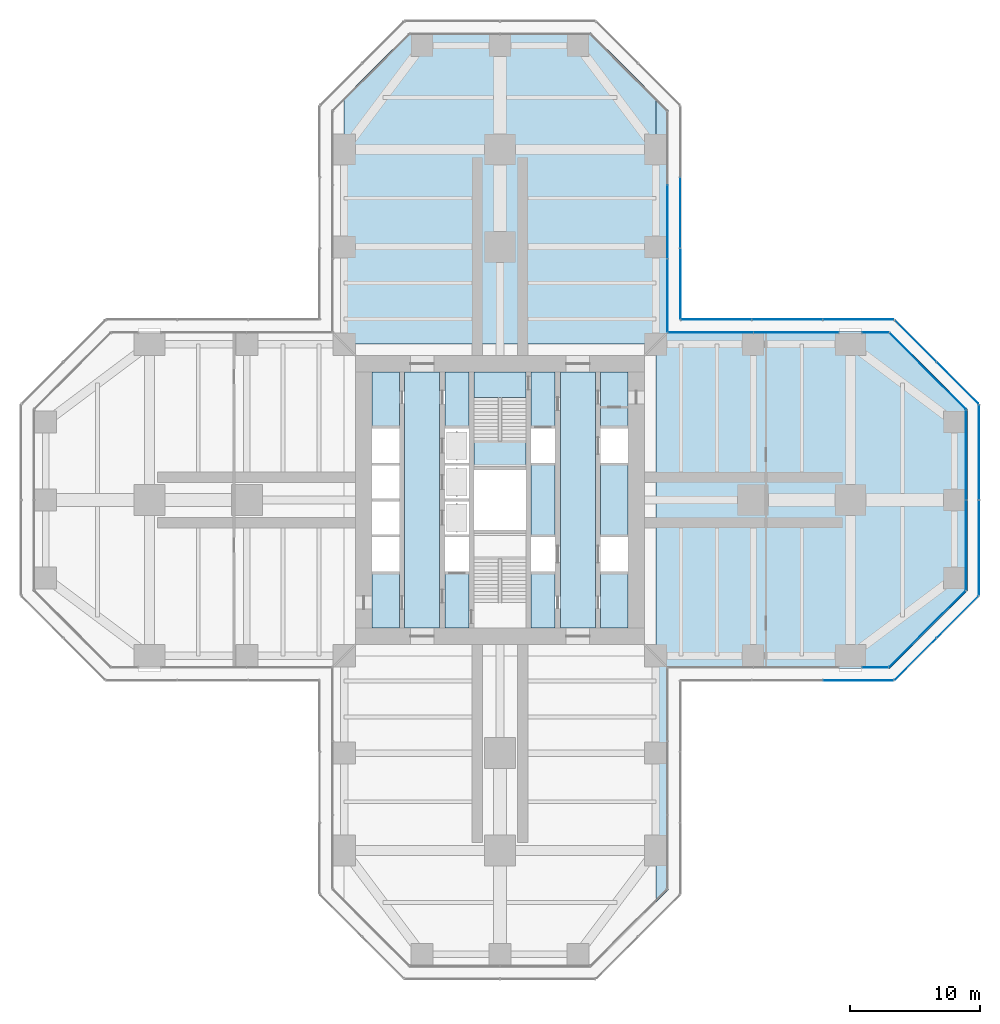
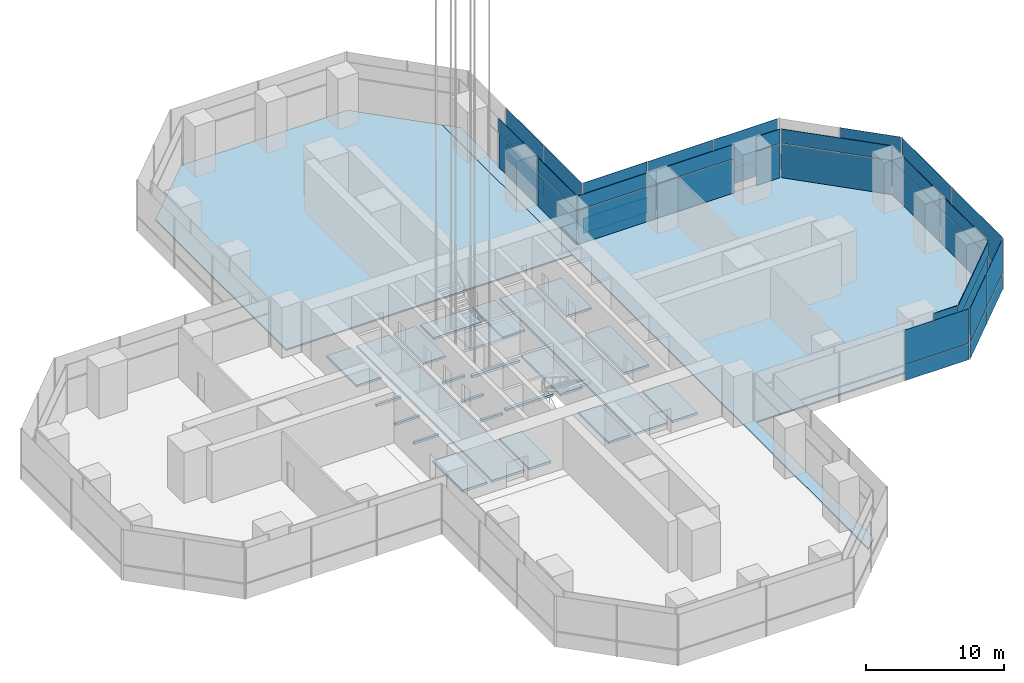
# One storey, part 15 of 27: 43 plates, 5 slabs, 14 elements without a shape of their own.
"""IFC4 building model written with IfcOpenShell, lengths in metres."""

from ifc_helpers import new_model, si_unit, direction, frame, origin, origin_2d, place, context, subcontext, project, spatial, polyline, rectangle, outline, extrude, material, layer, layer_set, type_object, element, aggregate, save


model = new_model("IFC4")

# Units and contexts
model_context = context("Model", 3, precision=1e-05, world=origin(), true_north=direction((0.0, 1.0)))
body_context = subcontext(model_context, "Body", "Model", "MODEL_VIEW")
ifc_project = project(units=[si_unit("LENGTHUNIT", "METRE"), si_unit("AREAUNIT", "SQUARE_METRE"), si_unit("VOLUMEUNIT", "CUBIC_METRE"), si_unit("PLANEANGLEUNIT", "RADIAN"), si_unit("MASSUNIT", "GRAM", prefix="KILO")], contexts=[model_context])

# Site, building, storey
site_placement = place(None, origin())
site = spatial("IfcSite", under=ifc_project, at=site_placement, CompositionType="ELEMENT")
building_placement = place(site_placement, origin())
building = spatial("IfcBuilding", under=site, at=building_placement, Name="Mizan Broadcast Tower", CompositionType="ELEMENT")
storey_placement = place(building_placement, frame((0.0, 0.0, 113.699951171875)))
storey = spatial("IfcBuildingStorey", under=building, at=storey_placement, Name="L25", CompositionType="ELEMENT", Elevation=113.699951171875)

# Slabs
ifc_material_1 = material(Name="Concrete C32/40", Category="concrete")
ifc_layer_1 = layer(ifc_material_1, 0.1298828125)
ifc_layer_set_1 = layer_set([ifc_layer_1], Name="Concrete C32/40")
slab_type_1 = type_object("IfcSlabType", Name="COMPOSITE DECK SLAB 130", PredefinedType="FLOOR", material=ifc_layer_set_1)
slab_1_placement = place(storey_placement, frame((0.0, 0.0, -0.1298828125)))
element("IfcSlab", 1, at=slab_1_placement, inside=storey, type_object=slab_type_1, Name="Floor slab L25 east arm", PredefinedType="FLOOR", context=body_context, shape_type="SweptSolid", body=[
    extrude(outline(polyline([(12.0, -31.0), (13.0, -30.0), (13.0, -13.0), (30.0, -13.0), (36.0, -7.0), (36.0, 7.0), (30.0, 13.0), (13.0, 13.0), (13.0, 30.0), (12.0, 31.0), (12.0, -31.0)])), origin(), (0.0, 0.0, 1.0), 0.1298828125),
])
slab_2_placement = place(storey_placement, frame((0.0, 0.0, -0.1298828125)))
element("IfcSlab", 2, at=slab_2_placement, inside=storey, type_object=slab_type_1, Name="Floor slab L25 north arm", PredefinedType="FLOOR", context=body_context, shape_type="SweptSolid", body=[
    extrude(outline(polyline([(-7.0, 36.0), (-12.0, 31.0), (-12.0, 12.0), (12.0, 12.0), (12.0, 31.0), (7.0, 36.0), (-7.0, 36.0)])), origin(), (0.0, 0.0, 1.0), 0.1298828125),
])
ifc_material_2 = material(Name="Concrete C40/50", Category="concrete")
ifc_layer_2 = layer(ifc_material_2, 0.199951171875)
ifc_layer_set_2 = layer_set([ifc_layer_2], Name="Concrete C40/50")
slab_type_2 = type_object("IfcSlabType", Name="CORE FLOOR 200", PredefinedType="FLOOR", material=ifc_layer_set_2)
slab_3_placement = place(storey_placement, frame((0.0, 0.0, -0.199951171875)))
element("IfcSlab", 3, at=slab_3_placement, inside=storey, type_object=slab_type_2, Name="Core floor L25", PredefinedType="FLOOR", context=body_context, shape_type="SweptSolid", body=[
    extrude(outline(polyline([(-9.85009765625, -9.85009765625), (-7.75, -9.85009765625), (-7.75, -5.5), (-9.85009765625, -5.5), (-9.85009765625, -9.85009765625)])), origin(), (0.0, 0.0, 1.0), 0.199951171875),
    extrude(outline(polyline([(-9.85009765625, -2.85009765625), (-7.75, -2.85009765625), (-7.75, -2.64990234375), (-9.85009765625, -2.64990234375), (-9.85009765625, -2.85009765625)])), origin(), (0.0, 0.0, 1.0), 0.199951171875),
    extrude(outline(polyline([(-9.85009765625, -0.10009765625), (-7.75, -0.10009765625), (-7.75, 0.10009765625), (-9.85009765625, 0.10009765625), (-9.85009765625, -0.10009765625)])), origin(), (0.0, 0.0, 1.0), 0.199951171875),
    extrude(outline(polyline([(-9.85009765625, 2.64990234375), (-7.75, 2.64990234375), (-7.75, 2.85009765625), (-9.85009765625, 2.85009765625), (-9.85009765625, 2.64990234375)])), origin(), (0.0, 0.0, 1.0), 0.199951171875),
    extrude(outline(polyline([(-9.85009765625, 5.5), (-7.75, 5.5), (-7.75, 9.85009765625), (-9.85009765625, 9.85009765625), (-9.85009765625, 5.5)])), origin(), (0.0, 0.0, 1.0), 0.199951171875),
    extrude(outline(polyline([(-4.64990234375, 9.85009765625), (-7.35009765625, 9.85009765625), (-7.35009765625, -9.85009765625), (-4.64990234375, -9.85009765625), (-4.64990234375, 9.85009765625)])), origin(), (0.0, 0.0, 1.0), 0.199951171875),
    extrude(outline(polyline([(-4.25, -9.85009765625), (-2.39990234375, -9.85009765625), (-2.39990234375, -5.5), (-4.25, -5.5), (-4.25, -9.85009765625)])), origin(), (0.0, 0.0, 1.0), 0.199951171875),
    extrude(outline(polyline([(-4.25, -2.85009765625), (-2.39990234375, -2.85009765625), (-2.39990234375, -2.64990234375), (-4.25, -2.64990234375), (-4.25, -2.85009765625)])), origin(), (0.0, 0.0, 1.0), 0.199951171875),
    extrude(outline(polyline([(-4.25, -0.10009765625), (-2.39990234375, -0.10009765625), (-2.39990234375, 0.10009765625), (-4.25, 0.10009765625), (-4.25, -0.10009765625)])), origin(), (0.0, 0.0, 1.0), 0.199951171875),
    extrude(outline(polyline([(-4.25, 2.64990234375), (-2.39990234375, 2.64990234375), (-2.39990234375, 2.85009765625), (-4.25, 2.85009765625), (-4.25, 2.64990234375)])), origin(), (0.0, 0.0, 1.0), 0.199951171875),
    extrude(outline(polyline([(-4.25, 5.5), (-2.39990234375, 5.5), (-2.39990234375, 9.85009765625), (-4.25, 9.85009765625), (-4.25, 5.5)])), origin(), (0.0, 0.0, 1.0), 0.199951171875),
    extrude(outline(polyline([(2.0, -2.324951171875), (-2.0, -2.324951171875), (-2.0, -2.574951171875), (2.0, -2.574951171875), (2.0, -2.324951171875)])), origin(), (0.0, 0.0, 1.0), 0.199951171875),
    extrude(outline(polyline([(2.0, 2.574951171875), (-2.0, 2.574951171875), (-2.0, 2.324951171875), (2.0, 2.324951171875), (2.0, 2.574951171875)])), origin(), (0.0, 0.0, 1.0), 0.199951171875),
    extrude(outline(polyline([(4.25, -9.85009765625), (4.25, -5.5), (2.39990234375, -5.5), (2.39990234375, -9.85009765625), (4.25, -9.85009765625)])), origin(), (0.0, 0.0, 1.0), 0.199951171875),
    extrude(outline(polyline([(4.25, -2.85009765625), (4.25, 2.85009765625), (2.39990234375, 2.85009765625), (2.39990234375, -2.85009765625), (4.25, -2.85009765625)])), origin(), (0.0, 0.0, 1.0), 0.199951171875),
    extrude(outline(polyline([(4.25, 5.5), (4.25, 9.85009765625), (2.39990234375, 9.85009765625), (2.39990234375, 5.5), (4.25, 5.5)])), origin(), (0.0, 0.0, 1.0), 0.199951171875),
    extrude(outline(polyline([(4.64990234375, 9.85009765625), (4.64990234375, -9.85009765625), (7.35009765625, -9.85009765625), (7.35009765625, 9.85009765625), (4.64990234375, 9.85009765625)])), origin(), (0.0, 0.0, 1.0), 0.199951171875),
    extrude(outline(polyline([(9.85009765625, -9.85009765625), (9.85009765625, -5.5), (7.75, -5.5), (7.75, -9.85009765625), (9.85009765625, -9.85009765625)])), origin(), (0.0, 0.0, 1.0), 0.199951171875),
    extrude(outline(polyline([(9.85009765625, -2.85009765625), (9.85009765625, 2.85009765625), (7.75, 2.85009765625), (7.75, -2.85009765625), (9.85009765625, -2.85009765625)])), origin(), (0.0, 0.0, 1.0), 0.199951171875),
    extrude(outline(polyline([(9.85009765625, 5.5), (9.85009765625, 9.85009765625), (7.75, 9.85009765625), (7.75, 5.5), (9.85009765625, 5.5)])), origin(), (0.0, 0.0, 1.0), 0.199951171875),
])

# Curtain wall, plate
ifc_material_3 = material(Name="Aluminium framed glazing", Category="aluminium")
curtain_wall_type_1 = type_object("IfcCurtainWallType", Name="INNER SKIN MID ZONE", PredefinedType="USERDEFINED", material=ifc_material_3)
curtain_wall_1_placement = place(storey_placement, origin())
curtain_wall_1 = element("IfcCurtainWall", 4, at=curtain_wall_1_placement, inside=storey, type_object=curtain_wall_type_1, Name="Inner skin mid zone L25 E side", ObjectType="INNER SKIN MID ZONE", PredefinedType="USERDEFINED")
ifc_material_4 = material(Name="Double glazing, clear low-e", Category="glass")
ifc_layer_3 = layer(ifc_material_4, 0.028076171875)
ifc_layer_set_3 = layer_set([ifc_layer_3], Name="Double glazing, clear low-e")
plate_type_1 = type_object("IfcPlateType", Name="INNER SKIN GLAZING UNIT", PredefinedType="CURTAIN_PANEL", material=ifc_layer_set_3)
plate_1_placement = place(storey_placement, frame((28.904296875, -12.89990234375, 0.0), z_axis=(0.0, 0.0, 1.0), x_axis=(1.0, 0.0, 0.0)))
plate_1 = element("IfcPlate", 5, at=plate_1_placement, type_object=plate_type_1, Name="Inner skin mid zone L25 E side panel 1.1", PredefinedType="CURTAIN_PANEL", context=body_context, shape_type="SweptSolid", body=[
    extrude(rectangle(XDim=1.988525390625, YDim=0.028076171875, at=origin_2d()), origin(), (0.0, 0.0, 1.0), 3.0),
])

curtain_wall_2_placement = place(storey_placement, origin())
curtain_wall_2 = element("IfcCurtainWall", 6, at=curtain_wall_2_placement, inside=storey, type_object=curtain_wall_type_1, Name="Inner skin mid zone L25 E chamfer", ObjectType="INNER SKIN MID ZONE", PredefinedType="USERDEFINED")
plate_2_placement = place(storey_placement, frame((32.92919921875, -9.92919921875, 0.0), z_axis=(0.0, 0.0, 1.0), x_axis=(0.707106781187, 0.707106781187, 0.0)))
plate_2 = element("IfcPlate", 7, at=plate_2_placement, type_object=plate_type_1, Name="Inner skin mid zone L25 E chamfer panel 1.1", PredefinedType="CURTAIN_PANEL", context=body_context, shape_type="SweptSolid", body=[
    extrude(rectangle(XDim=8.282470703125, YDim=0.028076171875, at=origin_2d()), origin(), (0.0, 0.0, 1.0), 3.0),
])

# Curtain wall, plates
curtain_wall_3_placement = place(storey_placement, origin())
curtain_wall_3 = element("IfcCurtainWall", 8, at=curtain_wall_3_placement, inside=storey, type_object=curtain_wall_type_1, Name="Inner skin mid zone L25 E end", ObjectType="INNER SKIN MID ZONE", PredefinedType="USERDEFINED")
plate_3_placement = place(storey_placement, frame((35.89990234375, -3.46435546875, 0.0), z_axis=(0.0, 0.0, 1.0), x_axis=(0.0, 1.0, 0.0)))
plate_3 = element("IfcPlate", 9, at=plate_3_placement, type_object=plate_type_1, Name="Inner skin mid zone L25 E end panel 1.1", PredefinedType="CURTAIN_PANEL", context=body_context, shape_type="SweptSolid", body=[
    extrude(rectangle(XDim=6.86865234375, YDim=0.028076171875, at=origin_2d()), origin(), (0.0, 0.0, 1.0), 3.0),
])
plate_4_placement = place(storey_placement, frame((35.89990234375, 3.46435546875, 0.0), z_axis=(0.0, 0.0, 1.0), x_axis=(0.0, 1.0, 0.0)))
plate_4 = element("IfcPlate", 10, at=plate_4_placement, type_object=plate_type_1, Name="Inner skin mid zone L25 E end panel 2.1", PredefinedType="CURTAIN_PANEL", context=body_context, shape_type="SweptSolid", body=[
    extrude(rectangle(XDim=6.86865234375, YDim=0.028076171875, at=origin_2d()), origin(), (0.0, 0.0, 1.0), 3.0),
])

# Curtain wall, plate
curtain_wall_4_placement = place(storey_placement, origin())
curtain_wall_4 = element("IfcCurtainWall", 11, at=curtain_wall_4_placement, inside=storey, type_object=curtain_wall_type_1, Name="Inner skin mid zone L25 E chamfer", ObjectType="INNER SKIN MID ZONE", PredefinedType="USERDEFINED")
plate_5_placement = place(storey_placement, frame((32.92919921875, 9.92919921875, 0.0), z_axis=(0.0, 0.0, 1.0), x_axis=(-0.707106781187, 0.707106781187, 0.0)))
plate_5 = element("IfcPlate", 12, at=plate_5_placement, type_object=plate_type_1, Name="Inner skin mid zone L25 E chamfer panel 1.1", PredefinedType="CURTAIN_PANEL", context=body_context, shape_type="SweptSolid", body=[
    extrude(rectangle(XDim=8.282470703125, YDim=0.028076171875, at=origin_2d()), origin(), (0.0, 0.0, 1.0), 3.0),
])

curtain_wall_5_placement = place(storey_placement, origin())
curtain_wall_5 = element("IfcCurtainWall", 13, at=curtain_wall_5_placement, inside=storey, type_object=curtain_wall_type_1, Name="Inner skin mid zone L25 E side", ObjectType="INNER SKIN MID ZONE", PredefinedType="USERDEFINED")
plate_6_placement = place(storey_placement, frame((28.904296875, 12.89990234375, 0.0), z_axis=(0.0, 0.0, 1.0), x_axis=(-1.0, 0.0, 0.0)))
plate_6 = element("IfcPlate", 14, at=plate_6_placement, type_object=plate_type_1, Name="Inner skin mid zone L25 E side panel 1.1", PredefinedType="CURTAIN_PANEL", context=body_context, shape_type="SweptSolid", body=[
    extrude(rectangle(XDim=1.988525390625, YDim=0.028076171875, at=origin_2d()), origin(), (0.0, 0.0, 1.0), 3.0),
])

# Curtain wall, plates
curtain_wall_6_placement = place(storey_placement, origin())
curtain_wall_6 = element("IfcCurtainWall", 15, at=curtain_wall_6_placement, inside=storey, type_object=curtain_wall_type_1, Name="Inner skin mid zone L25 E side", ObjectType="INNER SKIN MID ZONE", PredefinedType="USERDEFINED")
plate_7_placement = place(storey_placement, frame((22.822509765625, 12.89990234375, 0.0), z_axis=(0.0, 0.0, 1.0), x_axis=(-1.0, 0.0, 0.0)))
plate_7 = element("IfcPlate", 16, at=plate_7_placement, type_object=plate_type_1, Name="Inner skin mid zone L25 E side panel 1.1", PredefinedType="CURTAIN_PANEL", context=body_context, shape_type="SweptSolid", body=[
    extrude(rectangle(XDim=6.534912109375, YDim=0.028076171875, at=origin_2d()), origin(), (0.0, 0.0, 1.0), 3.0),
])
plate_8_placement = place(storey_placement, frame((16.2275390625, 12.89990234375, 0.0), z_axis=(0.0, 0.0, 1.0), x_axis=(-1.0, 0.0, 0.0)))
plate_8 = element("IfcPlate", 17, at=plate_8_placement, type_object=plate_type_1, Name="Inner skin mid zone L25 E side panel 2.1", PredefinedType="CURTAIN_PANEL", context=body_context, shape_type="SweptSolid", body=[
    extrude(rectangle(XDim=6.534912109375, YDim=0.028076171875, at=origin_2d()), origin(), (0.0, 0.0, 1.0), 3.0),
])

curtain_wall_7_placement = place(storey_placement, origin())
curtain_wall_7 = element("IfcCurtainWall", 18, at=curtain_wall_7_placement, inside=storey, type_object=curtain_wall_type_1, Name="Inner skin mid zone L25 N side", ObjectType="INNER SKIN MID ZONE", PredefinedType="USERDEFINED")
plate_9_placement = place(storey_placement, frame((12.89990234375, 15.758056640625, 0.0), z_axis=(0.0, 0.0, 1.0), x_axis=(0.0, 1.0, 0.0)))
plate_9 = element("IfcPlate", 19, at=plate_9_placement, type_object=plate_type_1, Name="Inner skin mid zone L25 N side panel 1.1", PredefinedType="CURTAIN_PANEL", context=body_context, shape_type="SweptSolid", body=[
    extrude(rectangle(XDim=5.59619140625, YDim=0.028076171875, at=origin_2d()), origin(), (0.0, 0.0, 1.0), 3.0),
])
plate_10_placement = place(storey_placement, frame((12.89990234375, 21.42919921875, 0.0), z_axis=(0.0, 0.0, 1.0), x_axis=(0.0, 1.0, 0.0)))
plate_10 = element("IfcPlate", 20, at=plate_10_placement, type_object=plate_type_1, Name="Inner skin mid zone L25 N side panel 2.1", PredefinedType="CURTAIN_PANEL", context=body_context, shape_type="SweptSolid", body=[
    extrude(rectangle(XDim=5.626220703125, YDim=0.028076171875, at=origin_2d()), origin(), (0.0, 0.0, 1.0), 3.0),
])

# Plate
ifc_material_5 = material(Name="Insulated aluminium spandrel panel, pale anodised", Category="aluminium")
ifc_layer_4 = layer(ifc_material_5, 0.050048828125)
ifc_layer_set_4 = layer_set([ifc_layer_4], Name="Insulated aluminium spandrel panel, pale anodised")
plate_type_2 = type_object("IfcPlateType", Name="INNER SKIN SPANDREL PANEL", PredefinedType="CURTAIN_PANEL", material=ifc_layer_set_4)
plate_11_placement = place(storey_placement, frame((28.904296875, -12.89990234375, 3.06005859375), z_axis=(0.0, 0.0, 1.0), x_axis=(1.0, 0.0, 0.0)))
plate_11 = element("IfcPlate", 21, at=plate_11_placement, type_object=plate_type_2, Name="Inner skin mid zone L25 E side panel 1.2", PredefinedType="CURTAIN_PANEL", context=body_context, shape_type="SweptSolid", body=[
    extrude(rectangle(XDim=1.988525390625, YDim=0.050048828125, at=origin_2d()), origin(), (0.0, 0.0, 1.0), 1.260009765625),
])

aggregate(curtain_wall_1, [plate_1, plate_11])

plate_12_placement = place(storey_placement, frame((32.92919921875, -9.92919921875, 3.06005859375), z_axis=(0.0, 0.0, 1.0), x_axis=(0.707106781187, 0.707106781187, 0.0)))
plate_12 = element("IfcPlate", 22, at=plate_12_placement, type_object=plate_type_2, Name="Inner skin mid zone L25 E chamfer panel 1.2", PredefinedType="CURTAIN_PANEL", context=body_context, shape_type="SweptSolid", body=[
    extrude(rectangle(XDim=8.282470703125, YDim=0.050048828125, at=origin_2d()), origin(), (0.0, 0.0, 1.0), 1.260009765625),
])

aggregate(curtain_wall_2, [plate_2, plate_12])

plate_13_placement = place(storey_placement, frame((35.89990234375, -3.46435546875, 3.06005859375), z_axis=(0.0, 0.0, 1.0), x_axis=(0.0, 1.0, 0.0)))
plate_13 = element("IfcPlate", 23, at=plate_13_placement, type_object=plate_type_2, Name="Inner skin mid zone L25 E end panel 1.2", PredefinedType="CURTAIN_PANEL", context=body_context, shape_type="SweptSolid", body=[
    extrude(rectangle(XDim=6.86865234375, YDim=0.050048828125, at=origin_2d()), origin(), (0.0, 0.0, 1.0), 1.260009765625),
])

plate_14_placement = place(storey_placement, frame((35.89990234375, 3.46435546875, 3.06005859375), z_axis=(0.0, 0.0, 1.0), x_axis=(0.0, 1.0, 0.0)))
plate_14 = element("IfcPlate", 24, at=plate_14_placement, type_object=plate_type_2, Name="Inner skin mid zone L25 E end panel 2.2", PredefinedType="CURTAIN_PANEL", context=body_context, shape_type="SweptSolid", body=[
    extrude(rectangle(XDim=6.86865234375, YDim=0.050048828125, at=origin_2d()), origin(), (0.0, 0.0, 1.0), 1.260009765625),
])

aggregate(curtain_wall_3, [plate_3, plate_13, plate_4, plate_14])

plate_15_placement = place(storey_placement, frame((32.92919921875, 9.92919921875, 3.06005859375), z_axis=(0.0, 0.0, 1.0), x_axis=(-0.707106781187, 0.707106781187, 0.0)))
plate_15 = element("IfcPlate", 25, at=plate_15_placement, type_object=plate_type_2, Name="Inner skin mid zone L25 E chamfer panel 1.2", PredefinedType="CURTAIN_PANEL", context=body_context, shape_type="SweptSolid", body=[
    extrude(rectangle(XDim=8.282470703125, YDim=0.050048828125, at=origin_2d()), origin(), (0.0, 0.0, 1.0), 1.260009765625),
])

aggregate(curtain_wall_4, [plate_5, plate_15])

plate_16_placement = place(storey_placement, frame((28.904296875, 12.89990234375, 3.06005859375), z_axis=(0.0, 0.0, 1.0), x_axis=(-1.0, 0.0, 0.0)))
plate_16 = element("IfcPlate", 26, at=plate_16_placement, type_object=plate_type_2, Name="Inner skin mid zone L25 E side panel 1.2", PredefinedType="CURTAIN_PANEL", context=body_context, shape_type="SweptSolid", body=[
    extrude(rectangle(XDim=1.988525390625, YDim=0.050048828125, at=origin_2d()), origin(), (0.0, 0.0, 1.0), 1.260009765625),
])

aggregate(curtain_wall_5, [plate_6, plate_16])

plate_17_placement = place(storey_placement, frame((22.822509765625, 12.89990234375, 3.06005859375), z_axis=(0.0, 0.0, 1.0), x_axis=(-1.0, 0.0, 0.0)))
plate_17 = element("IfcPlate", 27, at=plate_17_placement, type_object=plate_type_2, Name="Inner skin mid zone L25 E side panel 1.2", PredefinedType="CURTAIN_PANEL", context=body_context, shape_type="SweptSolid", body=[
    extrude(rectangle(XDim=6.534912109375, YDim=0.050048828125, at=origin_2d()), origin(), (0.0, 0.0, 1.0), 1.260009765625),
])

plate_18_placement = place(storey_placement, frame((16.2275390625, 12.89990234375, 3.06005859375), z_axis=(0.0, 0.0, 1.0), x_axis=(-1.0, 0.0, 0.0)))
plate_18 = element("IfcPlate", 28, at=plate_18_placement, type_object=plate_type_2, Name="Inner skin mid zone L25 E side panel 2.2", PredefinedType="CURTAIN_PANEL", context=body_context, shape_type="SweptSolid", body=[
    extrude(rectangle(XDim=6.534912109375, YDim=0.050048828125, at=origin_2d()), origin(), (0.0, 0.0, 1.0), 1.260009765625),
])

aggregate(curtain_wall_6, [plate_7, plate_17, plate_8, plate_18])

plate_19_placement = place(storey_placement, frame((12.89990234375, 15.758056640625, 3.06005859375), z_axis=(0.0, 0.0, 1.0), x_axis=(0.0, 1.0, 0.0)))
plate_19 = element("IfcPlate", 29, at=plate_19_placement, type_object=plate_type_2, Name="Inner skin mid zone L25 N side panel 1.2", PredefinedType="CURTAIN_PANEL", context=body_context, shape_type="SweptSolid", body=[
    extrude(rectangle(XDim=5.59619140625, YDim=0.050048828125, at=origin_2d()), origin(), (0.0, 0.0, 1.0), 1.260009765625),
])

plate_20_placement = place(storey_placement, frame((12.89990234375, 21.42919921875, 3.06005859375), z_axis=(0.0, 0.0, 1.0), x_axis=(0.0, 1.0, 0.0)))
plate_20 = element("IfcPlate", 30, at=plate_20_placement, type_object=plate_type_2, Name="Inner skin mid zone L25 N side panel 2.2", PredefinedType="CURTAIN_PANEL", context=body_context, shape_type="SweptSolid", body=[
    extrude(rectangle(XDim=5.626220703125, YDim=0.050048828125, at=origin_2d()), origin(), (0.0, 0.0, 1.0), 1.260009765625),
])

aggregate(curtain_wall_7, [plate_9, plate_19, plate_10, plate_20])

# Curtain wall, plates
ifc_material_6 = material(Name="Aluminium framed glazing", Category="aluminium")
curtain_wall_type_2 = type_object("IfcCurtainWallType", Name="OUTER SKIN", PredefinedType="USERDEFINED", material=ifc_material_6)
curtain_wall_8_placement = place(storey_placement, origin())
curtain_wall_8 = element("IfcCurtainWall", 31, at=curtain_wall_8_placement, inside=storey, type_object=curtain_wall_type_2, Name="Outer skin L25 E side", ObjectType="OUTER SKIN", PredefinedType="USERDEFINED")
ifc_material_7 = material(Name="Laminated clear glass", Category="glass")
ifc_layer_5 = layer(ifc_material_7, 0.02001953125)
ifc_layer_set_5 = layer_set([ifc_layer_5], Name="Laminated clear glass")
plate_type_3 = type_object("IfcPlateType", Name="OUTER SKIN CLEAR GLASS", PredefinedType="CURTAIN_PANEL", material=ifc_layer_set_5)
plate_21_placement = place(storey_placement, frame((27.607421875, -13.89990234375, 0.0), z_axis=(0.0, 0.0, 1.0), x_axis=(1.0, 0.0, 0.0)))
plate_21 = element("IfcPlate", 32, at=plate_21_placement, type_object=plate_type_3, Name="Outer skin L25 E side panel 3.1", PredefinedType="CURTAIN_PANEL", context=body_context, shape_type="SweptSolid", body=[
    extrude(rectangle(XDim=5.370849609375, YDim=0.02001953125, at=origin_2d()), origin(), (0.0, 0.0, 1.0), 1.3701171875),
])
plate_22_placement = place(storey_placement, frame((27.607421875, -13.89990234375, 1.43017578125), z_axis=(0.0, 0.0, 1.0), x_axis=(1.0, 0.0, 0.0)))
plate_22 = element("IfcPlate", 33, at=plate_22_placement, type_object=plate_type_3, Name="Outer skin L25 E side panel 3.2", PredefinedType="CURTAIN_PANEL", context=body_context, shape_type="SweptSolid", body=[
    extrude(rectangle(XDim=5.370849609375, YDim=0.02001953125, at=origin_2d()), origin(), (0.0, 0.0, 1.0), 3.070068359375),
])
aggregate(curtain_wall_8, [plate_21, plate_22])

curtain_wall_9_placement = place(storey_placement, origin())
curtain_wall_9 = element("IfcCurtainWall", 34, at=curtain_wall_9_placement, inside=storey, type_object=curtain_wall_type_2, Name="Outer skin L25 E chamfer", ObjectType="OUTER SKIN", PredefinedType="USERDEFINED")
plate_23_placement = place(storey_placement, frame((32.018798828125, -12.254150390625, 0.0), z_axis=(0.0, 0.0, 1.0), x_axis=(0.707106781187, 0.707106781187, 0.0)))
plate_23 = element("IfcPlate", 35, at=plate_23_placement, type_object=plate_type_3, Name="Outer skin L25 E chamfer panel 1.1", PredefinedType="CURTAIN_PANEL", context=body_context, shape_type="SweptSolid", body=[
    extrude(rectangle(XDim=4.495361328125, YDim=0.02001953125, at=origin_2d()), origin(), (0.0, 0.0, 1.0), 1.3701171875),
])
plate_24_placement = place(storey_placement, frame((32.018798828125, -12.254150390625, 1.43017578125), z_axis=(0.0, 0.0, 1.0), x_axis=(0.707106781187, 0.707106781187, 0.0)))
plate_24 = element("IfcPlate", 36, at=plate_24_placement, type_object=plate_type_3, Name="Outer skin L25 E chamfer panel 1.2", PredefinedType="CURTAIN_PANEL", context=body_context, shape_type="SweptSolid", body=[
    extrude(rectangle(XDim=4.495361328125, YDim=0.02001953125, at=origin_2d()), origin(), (0.0, 0.0, 1.0), 3.070068359375),
])

curtain_wall_10_placement = place(storey_placement, origin())
curtain_wall_10 = element("IfcCurtainWall", 37, at=curtain_wall_10_placement, inside=storey, type_object=curtain_wall_type_2, Name="Outer skin L25 E end", ObjectType="OUTER SKIN", PredefinedType="USERDEFINED")
plate_25_placement = place(storey_placement, frame((36.89990234375, -3.66650390625, 0.0), z_axis=(0.0, 0.0, 1.0), x_axis=(0.0, 1.0, 0.0)))
plate_25 = element("IfcPlate", 38, at=plate_25_placement, type_object=plate_type_3, Name="Outer skin L25 E end panel 1.1", PredefinedType="CURTAIN_PANEL", context=body_context, shape_type="SweptSolid", body=[
    extrude(rectangle(XDim=7.252685546875, YDim=0.02001953125, at=origin_2d()), origin(), (0.0, 0.0, 1.0), 1.3701171875),
])
plate_26_placement = place(storey_placement, frame((36.89990234375, -3.66650390625, 1.43017578125), z_axis=(0.0, 0.0, 1.0), x_axis=(0.0, 1.0, 0.0)))
plate_26 = element("IfcPlate", 39, at=plate_26_placement, type_object=plate_type_3, Name="Outer skin L25 E end panel 1.2", PredefinedType="CURTAIN_PANEL", context=body_context, shape_type="SweptSolid", body=[
    extrude(rectangle(XDim=7.252685546875, YDim=0.02001953125, at=origin_2d()), origin(), (0.0, 0.0, 1.0), 3.070068359375),
])

curtain_wall_11_placement = place(storey_placement, origin())
curtain_wall_11 = element("IfcCurtainWall", 40, at=curtain_wall_11_placement, inside=storey, type_object=curtain_wall_type_2, Name="Outer skin L25 E chamfer", ObjectType="OUTER SKIN", PredefinedType="USERDEFINED")
plate_27_placement = place(storey_placement, frame((35.254150390625, 9.018798828125, 0.0), z_axis=(0.0, 0.0, 1.0), x_axis=(-0.707106781187, 0.707106781187, 0.0)))
plate_27 = element("IfcPlate", 41, at=plate_27_placement, type_object=plate_type_3, Name="Outer skin L25 E chamfer panel 1.1", PredefinedType="CURTAIN_PANEL", context=body_context, shape_type="SweptSolid", body=[
    extrude(rectangle(XDim=4.495361328125, YDim=0.02001953125, at=origin_2d()), origin(), (0.0, 0.0, 1.0), 1.3701171875),
])
plate_28_placement = place(storey_placement, frame((35.254150390625, 9.018798828125, 1.43017578125), z_axis=(0.0, 0.0, 1.0), x_axis=(-0.707106781187, 0.707106781187, 0.0)))
plate_28 = element("IfcPlate", 42, at=plate_28_placement, type_object=plate_type_3, Name="Outer skin L25 E chamfer panel 1.2", PredefinedType="CURTAIN_PANEL", context=body_context, shape_type="SweptSolid", body=[
    extrude(rectangle(XDim=4.495361328125, YDim=0.02001953125, at=origin_2d()), origin(), (0.0, 0.0, 1.0), 3.070068359375),
])

curtain_wall_12_placement = place(storey_placement, origin())
curtain_wall_12 = element("IfcCurtainWall", 43, at=curtain_wall_12_placement, inside=storey, type_object=curtain_wall_type_2, Name="Outer skin L25 E side", ObjectType="OUTER SKIN", PredefinedType="USERDEFINED")
plate_29_placement = place(storey_placement, frame((27.607421875, 13.89990234375, 0.0), z_axis=(0.0, 0.0, 1.0), x_axis=(-1.0, 0.0, 0.0)))
plate_29 = element("IfcPlate", 44, at=plate_29_placement, type_object=plate_type_3, Name="Outer skin L25 E side panel 1.1", PredefinedType="CURTAIN_PANEL", context=body_context, shape_type="SweptSolid", body=[
    extrude(rectangle(XDim=5.370849609375, YDim=0.02001953125, at=origin_2d()), origin(), (0.0, 0.0, 1.0), 1.3701171875),
])
plate_30_placement = place(storey_placement, frame((27.607421875, 13.89990234375, 1.43017578125), z_axis=(0.0, 0.0, 1.0), x_axis=(-1.0, 0.0, 0.0)))
plate_30 = element("IfcPlate", 45, at=plate_30_placement, type_object=plate_type_3, Name="Outer skin L25 E side panel 1.2", PredefinedType="CURTAIN_PANEL", context=body_context, shape_type="SweptSolid", body=[
    extrude(rectangle(XDim=5.370849609375, YDim=0.02001953125, at=origin_2d()), origin(), (0.0, 0.0, 1.0), 3.070068359375),
])
plate_31_placement = place(storey_placement, frame((22.136474609375, 13.89990234375, 0.0), z_axis=(0.0, 0.0, 1.0), x_axis=(-1.0, 0.0, 0.0)))
plate_31 = element("IfcPlate", 46, at=plate_31_placement, type_object=plate_type_3, Name="Outer skin L25 E side panel 2.1", PredefinedType="CURTAIN_PANEL", context=body_context, shape_type="SweptSolid", body=[
    extrude(rectangle(XDim=5.410888671875, YDim=0.02001953125, at=origin_2d()), origin(), (0.0, 0.0, 1.0), 1.3701171875),
])
plate_32_placement = place(storey_placement, frame((22.136474609375, 13.89990234375, 1.43017578125), z_axis=(0.0, 0.0, 1.0), x_axis=(-1.0, 0.0, 0.0)))
plate_32 = element("IfcPlate", 47, at=plate_32_placement, type_object=plate_type_3, Name="Outer skin L25 E side panel 2.2", PredefinedType="CURTAIN_PANEL", context=body_context, shape_type="SweptSolid", body=[
    extrude(rectangle(XDim=5.410888671875, YDim=0.02001953125, at=origin_2d()), origin(), (0.0, 0.0, 1.0), 3.070068359375),
])
plate_33_placement = place(storey_placement, frame((16.66552734375, 13.89990234375, 0.0), z_axis=(0.0, 0.0, 1.0), x_axis=(-1.0, 0.0, 0.0)))
plate_33 = element("IfcPlate", 48, at=plate_33_placement, type_object=plate_type_3, Name="Outer skin L25 E side panel 3.1", PredefinedType="CURTAIN_PANEL", context=body_context, shape_type="SweptSolid", body=[
    extrude(rectangle(XDim=5.370849609375, YDim=0.02001953125, at=origin_2d()), origin(), (0.0, 0.0, 1.0), 1.3701171875),
])
plate_34_placement = place(storey_placement, frame((16.66552734375, 13.89990234375, 1.43017578125), z_axis=(0.0, 0.0, 1.0), x_axis=(-1.0, 0.0, 0.0)))
plate_34 = element("IfcPlate", 49, at=plate_34_placement, type_object=plate_type_3, Name="Outer skin L25 E side panel 3.2", PredefinedType="CURTAIN_PANEL", context=body_context, shape_type="SweptSolid", body=[
    extrude(rectangle(XDim=5.370849609375, YDim=0.02001953125, at=origin_2d()), origin(), (0.0, 0.0, 1.0), 3.070068359375),
])
aggregate(curtain_wall_12, [plate_29, plate_30, plate_31, plate_32, plate_33, plate_34])

curtain_wall_13_placement = place(storey_placement, origin())
curtain_wall_13 = element("IfcCurtainWall", 50, at=curtain_wall_13_placement, inside=storey, type_object=curtain_wall_type_2, Name="Outer skin L25 N side", ObjectType="OUTER SKIN", PredefinedType="USERDEFINED")
plate_35_placement = place(storey_placement, frame((13.89990234375, 16.66552734375, 0.0), z_axis=(0.0, 0.0, 1.0), x_axis=(0.0, 1.0, 0.0)))
plate_35 = element("IfcPlate", 51, at=plate_35_placement, type_object=plate_type_3, Name="Outer skin L25 N side panel 1.1", PredefinedType="CURTAIN_PANEL", context=body_context, shape_type="SweptSolid", body=[
    extrude(rectangle(XDim=5.370849609375, YDim=0.02001953125, at=origin_2d()), origin(), (0.0, 0.0, 1.0), 1.3701171875),
])
plate_36_placement = place(storey_placement, frame((13.89990234375, 16.66552734375, 1.43017578125), z_axis=(0.0, 0.0, 1.0), x_axis=(0.0, 1.0, 0.0)))
plate_36 = element("IfcPlate", 52, at=plate_36_placement, type_object=plate_type_3, Name="Outer skin L25 N side panel 1.2", PredefinedType="CURTAIN_PANEL", context=body_context, shape_type="SweptSolid", body=[
    extrude(rectangle(XDim=5.370849609375, YDim=0.02001953125, at=origin_2d()), origin(), (0.0, 0.0, 1.0), 3.070068359375),
])

# Plate
ifc_material_8 = material(Name="Perforated aluminium, pale anodised", Category="aluminium")
ifc_layer_6 = layer(ifc_material_8, 0.011962890625)
ifc_layer_set_6 = layer_set([ifc_layer_6], Name="Perforated aluminium, pale anodised")
plate_type_4 = type_object("IfcPlateType", Name="OUTER SKIN PERFORATED SCREEN", PredefinedType="USERDEFINED", material=ifc_layer_set_6)
plate_37_placement = place(storey_placement, frame((35.254150390625, -9.018798828125, 0.0), z_axis=(0.0, 0.0, 1.0), x_axis=(0.707106781187, 0.707106781187, 0.0)))
plate_37 = element("IfcPlate", 53, at=plate_37_placement, type_object=plate_type_4, Name="Outer skin L25 E chamfer panel 2.1", ObjectType="SCREEN", PredefinedType="USERDEFINED", context=body_context, shape_type="SweptSolid", body=[
    extrude(rectangle(XDim=4.495361328125, YDim=0.011962890625, at=origin_2d()), origin(), (0.0, 0.0, 1.0), 1.3701171875),
])

plate_38_placement = place(storey_placement, frame((35.254150390625, -9.018798828125, 1.43017578125), z_axis=(0.0, 0.0, 1.0), x_axis=(0.707106781187, 0.707106781187, 0.0)))
plate_38 = element("IfcPlate", 54, at=plate_38_placement, type_object=plate_type_4, Name="Outer skin L25 E chamfer panel 2.2", ObjectType="SCREEN", PredefinedType="USERDEFINED", context=body_context, shape_type="SweptSolid", body=[
    extrude(rectangle(XDim=4.495361328125, YDim=0.011962890625, at=origin_2d()), origin(), (0.0, 0.0, 1.0), 3.070068359375),
])

aggregate(curtain_wall_9, [plate_23, plate_24, plate_37, plate_38])

plate_39_placement = place(storey_placement, frame((36.89990234375, 3.66650390625, 0.0), z_axis=(0.0, 0.0, 1.0), x_axis=(0.0, 1.0, 0.0)))
plate_39 = element("IfcPlate", 55, at=plate_39_placement, type_object=plate_type_4, Name="Outer skin L25 E end panel 2.1", ObjectType="SCREEN", PredefinedType="USERDEFINED", context=body_context, shape_type="SweptSolid", body=[
    extrude(rectangle(XDim=7.252685546875, YDim=0.011962890625, at=origin_2d()), origin(), (0.0, 0.0, 1.0), 1.3701171875),
])

plate_40_placement = place(storey_placement, frame((36.89990234375, 3.66650390625, 1.43017578125), z_axis=(0.0, 0.0, 1.0), x_axis=(0.0, 1.0, 0.0)))
plate_40 = element("IfcPlate", 56, at=plate_40_placement, type_object=plate_type_4, Name="Outer skin L25 E end panel 2.2", ObjectType="SCREEN", PredefinedType="USERDEFINED", context=body_context, shape_type="SweptSolid", body=[
    extrude(rectangle(XDim=7.252685546875, YDim=0.011962890625, at=origin_2d()), origin(), (0.0, 0.0, 1.0), 3.070068359375),
])

aggregate(curtain_wall_10, [plate_25, plate_26, plate_39, plate_40])

plate_41_placement = place(storey_placement, frame((32.018798828125, 12.254150390625, 0.0), z_axis=(0.0, 0.0, 1.0), x_axis=(-0.707106781187, 0.707106781187, 0.0)))
plate_41 = element("IfcPlate", 57, at=plate_41_placement, type_object=plate_type_4, Name="Outer skin L25 E chamfer panel 2.1", ObjectType="SCREEN", PredefinedType="USERDEFINED", context=body_context, shape_type="SweptSolid", body=[
    extrude(rectangle(XDim=4.495361328125, YDim=0.011962890625, at=origin_2d()), origin(), (0.0, 0.0, 1.0), 1.3701171875),
])

aggregate(curtain_wall_11, [plate_27, plate_28, plate_41])

plate_42_placement = place(storey_placement, frame((13.89990234375, 22.136474609375, 0.0), z_axis=(0.0, 0.0, 1.0), x_axis=(0.0, 1.0, 0.0)))
plate_42 = element("IfcPlate", 58, at=plate_42_placement, type_object=plate_type_4, Name="Outer skin L25 N side panel 2.1", ObjectType="SCREEN", PredefinedType="USERDEFINED", context=body_context, shape_type="SweptSolid", body=[
    extrude(rectangle(XDim=5.410888671875, YDim=0.011962890625, at=origin_2d()), origin(), (0.0, 0.0, 1.0), 1.3701171875),
])

plate_43_placement = place(storey_placement, frame((13.89990234375, 22.136474609375, 1.43017578125), z_axis=(0.0, 0.0, 1.0), x_axis=(0.0, 1.0, 0.0)))
plate_43 = element("IfcPlate", 59, at=plate_43_placement, type_object=plate_type_4, Name="Outer skin L25 N side panel 2.2", ObjectType="SCREEN", PredefinedType="USERDEFINED", context=body_context, shape_type="SweptSolid", body=[
    extrude(rectangle(XDim=5.410888671875, YDim=0.011962890625, at=origin_2d()), origin(), (0.0, 0.0, 1.0), 3.070068359375),
])

aggregate(curtain_wall_13, [plate_35, plate_36, plate_42, plate_43])

# Stair, slabs
ifc_material_9 = material(Name="Concrete C40/50", Category="concrete")
stair_type = type_object("IfcStairType", Name="EXIT STAIR", PredefinedType="HALF_TURN_STAIR", material=ifc_material_9)
stair_placement = place(storey_placement, origin())
stair = element("IfcStair", 60, at=stair_placement, inside=storey, type_object=stair_type, Name="Stair B L25", PredefinedType="HALF_TURN_STAIR")
ifc_material_10 = material(Name="Concrete C40/50", Category="concrete")
ifc_layer_7 = layer(ifc_material_10, 0.199951171875)
ifc_layer_set_7 = layer_set([ifc_layer_7], Name="Concrete C40/50")
slab_type_3 = type_object("IfcSlabType", Name="STAIR LANDING 200", PredefinedType="LANDING", material=ifc_layer_set_7)
slab_4_placement = place(storey_placement, frame((0.0, 0.0, -0.199951171875)))
slab_4 = element("IfcSlab", 61, at=slab_4_placement, type_object=slab_type_3, Name="B landing 1", PredefinedType="LANDING", context=body_context, shape_type="SweptSolid", body=[
    extrude(outline(polyline([(2.0, 9.85009765625), (2.0, 7.89990234375), (-2.0, 7.89990234375), (-2.0, 9.85009765625), (2.0, 9.85009765625)])), origin(), (0.0, 0.0, 1.0), 0.199951171875),
])
slab_5_placement = place(storey_placement, frame((0.0, 0.0, 2.050048828125)))
slab_5 = element("IfcSlab", 62, at=slab_5_placement, type_object=slab_type_3, Name="B landing 2", PredefinedType="LANDING", context=body_context, shape_type="SweptSolid", body=[
    extrude(outline(polyline([(2.0, 4.5400390625), (2.0, 2.574951171875), (-2.0, 2.574951171875), (-2.0, 4.5400390625), (2.0, 4.5400390625)])), origin(), (0.0, 0.0, 1.0), 0.199951171875),
])
aggregate(stair, [slab_4, slab_5])

save(model, "model.ifc")
